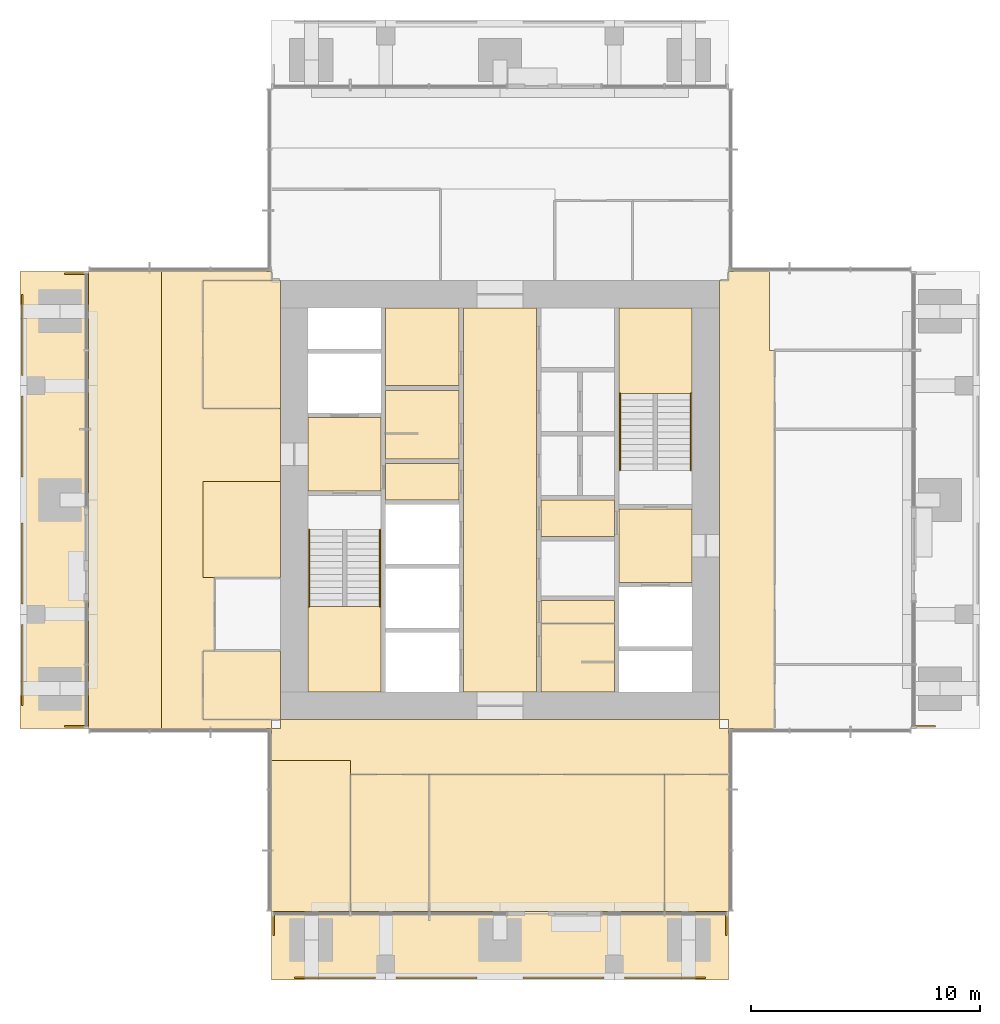
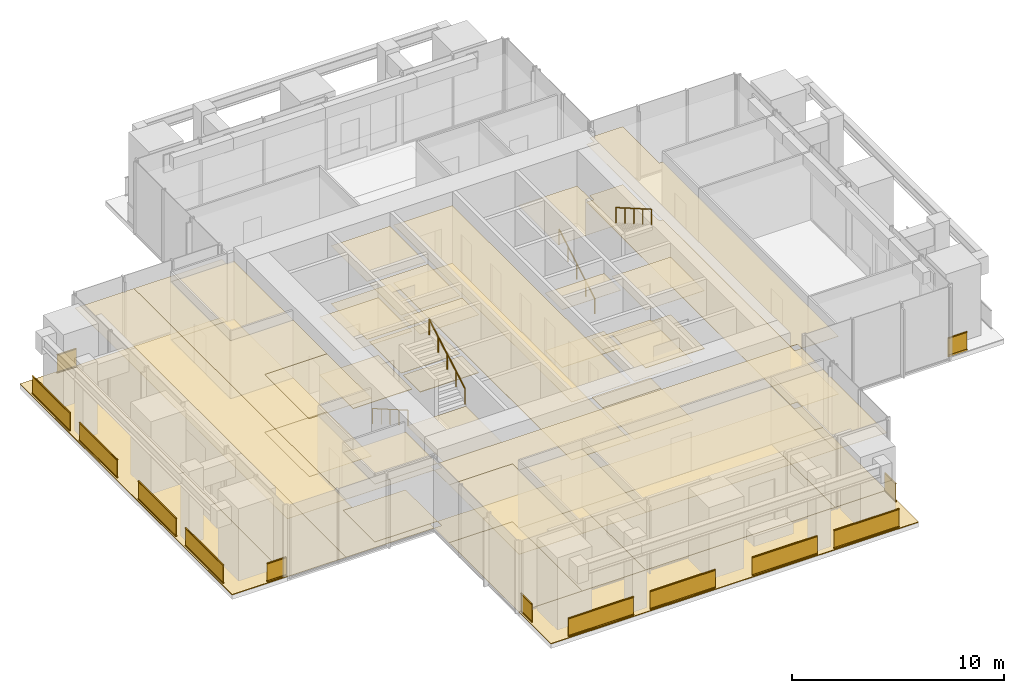
# One storey, part 10 of 12: 44 coverings, 17 railings.
"""IFC4 building model written with IfcOpenShell, lengths in metres."""

from ifc_helpers import new_model, si_unit, direction, frame, origin, origin_2d, place, context, subcontext, project, spatial, polyline, rectangle, circle, outline, extrude, material, layer, layer_set, type_object, element, save


model = new_model("IFC4")

# Units and contexts
model_context = context("Model", 3, precision=1e-05, world=origin(), true_north=direction((0.0, 1.0)))
body_context = subcontext(model_context, "Body", "Model", "MODEL_VIEW")
ifc_project = project(units=[si_unit("LENGTHUNIT", "METRE"), si_unit("AREAUNIT", "SQUARE_METRE"), si_unit("VOLUMEUNIT", "CUBIC_METRE"), si_unit("PLANEANGLEUNIT", "RADIAN"), si_unit("MASSUNIT", "GRAM", prefix="KILO")], contexts=[model_context])

# Site, building, storey
site_placement = place(None, origin())
site = spatial("IfcSite", under=ifc_project, at=site_placement, CompositionType="ELEMENT")
building_placement = place(site_placement, origin())
building = spatial("IfcBuilding", under=site, at=building_placement, Name="Svetlomir Tower", CompositionType="ELEMENT")
storey_placement = place(building_placement, frame((0.0, 0.0, 244.0)))
storey = spatial("IfcBuildingStorey", under=building, at=storey_placement, Name="L58", CompositionType="ELEMENT", Elevation=244.0)

# Railings
ifc_material_1 = material(Name="Bronze anodised aluminium and laminated glass", Category="aluminium")
railing_type_1 = type_object("IfcRailingType", Name="BALCONY GUARD GR1 1100", PredefinedType="GUARDRAIL", material=ifc_material_1)
for number, where, name in (
    (1, (12.0, 0.10009765625, 0.0), "Loggia guard S L58 bay 1"),
    (2, (16.449951171875, 0.10009765625, 0.0), "Loggia guard S L58 bay 2"),
    (3, (22.0, 0.10009765625, 0.0), "Loggia guard S L58 bay 3"),
    (4, (26.449951171875, 0.10009765625, 0.0), "Loggia guard S L58 bay 4"),
):
    element("IfcRailing", number, at=place(storey_placement, frame(where)), inside=storey, type_object=railing_type_1, Name=name, PredefinedType="GUARDRAIL", context=body_context, shape_type="SweptSolid", body=[
        extrude(rectangle(XDim=0.06005859375, YDim=0.10009765625, at=origin_2d()), frame((0.0, 0.0, 0.050048828125), z_axis=(1.0, 0.0, 0.0), x_axis=(0.0, 1.0, 0.0)), (0.0, 0.0, 1.0), 3.550048828125),
        extrude(rectangle(XDim=0.021484375, YDim=0.960205078125, at=origin_2d()), frame((0.0, 0.0, 0.580078125), z_axis=(1.0, 0.0, 0.0), x_axis=(0.0, 1.0, 0.0)), (0.0, 0.0, 1.0), 3.550048828125),
        extrude(rectangle(XDim=0.06005859375, YDim=0.0400390625, at=origin_2d()), frame((0.0, 0.0, 1.080078125), z_axis=(1.0, 0.0, 0.0), x_axis=(0.0, 1.0, 0.0)), (0.0, 0.0, 1.0), 3.550048828125),
    ])
for number, where, name in (
    (5, (11.10009765625, 1.949951171875, 0.0), "Loggia guard S L58 end 1"),
    (6, (30.89990234375, 1.949951171875, 0.0), "Loggia guard S L58 end 2"),
):
    element("IfcRailing", number, at=place(storey_placement, frame(where)), inside=storey, type_object=railing_type_1, Name=name, PredefinedType="GUARDRAIL", context=body_context, shape_type="SweptSolid", body=[
        extrude(rectangle(XDim=0.06005859375, YDim=0.10009765625, at=origin_2d()), frame((0.0, 0.0, 0.050048828125), z_axis=(0.0, 1.0, 0.0), x_axis=(-1.0, 0.0, 0.0)), (0.0, 0.0, 1.0), 1.050048828125),
        extrude(rectangle(XDim=0.021484375, YDim=0.960205078125, at=origin_2d()), frame((0.0, 0.0, 0.580078125), z_axis=(0.0, 1.0, 0.0), x_axis=(-1.0, 0.0, 0.0)), (0.0, 0.0, 1.0), 1.050048828125),
        extrude(rectangle(XDim=0.06005859375, YDim=0.0400390625, at=origin_2d()), frame((0.0, 0.0, 1.080078125), z_axis=(0.0, 1.0, 0.0), x_axis=(-1.0, 0.0, 0.0)), (0.0, 0.0, 1.0), 1.050048828125),
    ])
railing_1_placement = place(storey_placement, frame((40.050048828125, 11.10009765625, 0.0)))
element("IfcRailing", 7, at=railing_1_placement, inside=storey, type_object=railing_type_1, Name="Loggia guard E L58 end 1", PredefinedType="GUARDRAIL", context=body_context, shape_type="SweptSolid", body=[
    extrude(rectangle(XDim=0.06005859375, YDim=0.10009765625, at=origin_2d()), frame((0.0, 0.0, 0.050048828125), z_axis=(-1.0, 0.0, 0.0), x_axis=(0.0, -1.0, 0.0)), (0.0, 0.0, 1.0), 1.050048828125),
    extrude(rectangle(XDim=0.021484375, YDim=0.960205078125, at=origin_2d()), frame((0.0, 0.0, 0.580078125), z_axis=(-1.0, 0.0, 0.0), x_axis=(0.0, -1.0, 0.0)), (0.0, 0.0, 1.0), 1.050048828125),
    extrude(rectangle(XDim=0.06005859375, YDim=0.0400390625, at=origin_2d()), frame((0.0, 0.0, 1.080078125), z_axis=(-1.0, 0.0, 0.0), x_axis=(0.0, -1.0, 0.0)), (0.0, 0.0, 1.0), 1.050048828125),
])
for number, where, name in (
    (8, (0.10009765625, 12.0, 0.0), "Loggia guard W L58 bay 1"),
    (9, (0.10009765625, 16.449951171875, 0.0), "Loggia guard W L58 bay 2"),
    (10, (0.10009765625, 22.0, 0.0), "Loggia guard W L58 bay 3"),
    (11, (0.10009765625, 26.449951171875, 0.0), "Loggia guard W L58 bay 4"),
):
    element("IfcRailing", number, at=place(storey_placement, frame(where)), inside=storey, type_object=railing_type_1, Name=name, PredefinedType="GUARDRAIL", context=body_context, shape_type="SweptSolid", body=[
        extrude(rectangle(XDim=0.06005859375, YDim=0.10009765625, at=origin_2d()), frame((0.0, 0.0, 0.050048828125), z_axis=(0.0, 1.0, 0.0), x_axis=(-1.0, 0.0, 0.0)), (0.0, 0.0, 1.0), 3.550048828125),
        extrude(rectangle(XDim=0.021484375, YDim=0.960205078125, at=origin_2d()), frame((0.0, 0.0, 0.580078125), z_axis=(0.0, 1.0, 0.0), x_axis=(-1.0, 0.0, 0.0)), (0.0, 0.0, 1.0), 3.550048828125),
        extrude(rectangle(XDim=0.06005859375, YDim=0.0400390625, at=origin_2d()), frame((0.0, 0.0, 1.080078125), z_axis=(0.0, 1.0, 0.0), x_axis=(-1.0, 0.0, 0.0)), (0.0, 0.0, 1.0), 3.550048828125),
    ])
for number, where, name in (
    (12, (1.949951171875, 11.10009765625, 0.0), "Loggia guard W L58 end 1"),
    (13, (1.949951171875, 30.89990234375, 0.0), "Loggia guard W L58 end 2"),
):
    element("IfcRailing", number, at=place(storey_placement, frame(where)), inside=storey, type_object=railing_type_1, Name=name, PredefinedType="GUARDRAIL", context=body_context, shape_type="SweptSolid", body=[
        extrude(rectangle(XDim=0.06005859375, YDim=0.10009765625, at=origin_2d()), frame((0.0, 0.0, 0.050048828125), z_axis=(1.0, 0.0, 0.0), x_axis=(0.0, 1.0, 0.0)), (0.0, 0.0, 1.0), 1.050048828125),
        extrude(rectangle(XDim=0.021484375, YDim=0.960205078125, at=origin_2d()), frame((0.0, 0.0, 0.580078125), z_axis=(1.0, 0.0, 0.0), x_axis=(0.0, 1.0, 0.0)), (0.0, 0.0, 1.0), 1.050048828125),
        extrude(rectangle(XDim=0.06005859375, YDim=0.0400390625, at=origin_2d()), frame((0.0, 0.0, 1.080078125), z_axis=(1.0, 0.0, 0.0), x_axis=(0.0, 1.0, 0.0)), (0.0, 0.0, 1.0), 1.050048828125),
    ])

# Coverings
ifc_material_2 = material(Name="Granite paving slabs on pedestals", Category="masonry")
ifc_layer_1 = layer(ifc_material_2, 0.0400390625)
ifc_layer_set_1 = layer_set([ifc_layer_1], Name="Granite paving slabs on pedestals")
covering_type_1 = type_object("IfcCoveringType", Name="BALCONY PAVING 40", PredefinedType="USERDEFINED", material=ifc_layer_set_1)
covering_1_placement = place(storey_placement, origin())
element("IfcCovering", 14, at=covering_1_placement, inside=storey, type_object=covering_type_1, Name="Loggia paving S L58", ObjectType="BALCONY PAVING", PredefinedType="USERDEFINED", context=body_context, shape_type="SweptSolid", body=[
    extrude(outline(polyline([(11.0, 0.0), (31.0, 0.0), (31.0, 3.0), (11.0, 3.0), (11.0, 0.0)])), origin(), (0.0, 0.0, 1.0), 0.0400390625),
])
covering_2_placement = place(storey_placement, origin())
element("IfcCovering", 15, at=covering_2_placement, inside=storey, type_object=covering_type_1, Name="Loggia paving W L58", ObjectType="BALCONY PAVING", PredefinedType="USERDEFINED", context=body_context, shape_type="SweptSolid", body=[
    extrude(outline(polyline([(0.0, 11.0), (3.0, 11.0), (3.0, 31.0), (0.0, 31.0), (0.0, 11.0)])), origin(), (0.0, 0.0, 1.0), 0.0400390625),
])
ifc_material_3 = material(Name="Ceramic floor tile", Category="ceramic")
ifc_layer_2 = layer(ifc_material_3, 0.014892578125)
ifc_layer_set_2 = layer_set([ifc_layer_2], Name="Ceramic floor tile")
covering_type_2 = type_object("IfcCoveringType", Name="CERAMIC TILE FLOOR 15", PredefinedType="FLOORING", material=ifc_layer_set_2)
covering_3_placement = place(storey_placement, origin())
element("IfcCovering", 16, at=covering_3_placement, inside=storey, type_object=covering_type_2, Name="Floor finish L58-04", PredefinedType="FLOORING", context=body_context, shape_type="SweptSolid", body=[
    extrude(outline(polyline([(16.0, 22.800048828125), (19.199951171875, 22.800048828125), (19.199951171875, 25.800048828125), (16.0, 25.800048828125), (16.0, 22.800048828125)])), origin(), (0.0, 0.0, 1.0), 0.014892578125),
])
covering_4_placement = place(storey_placement, origin())
element("IfcCovering", 17, at=covering_4_placement, inside=storey, type_object=covering_type_2, Name="Floor finish L58-05", PredefinedType="FLOORING", context=body_context, shape_type="SweptSolid", body=[
    extrude(outline(polyline([(16.0, 26.0), (19.199951171875, 26.0), (19.199951171875, 29.39990234375), (16.0, 29.39990234375), (16.0, 26.0)])), origin(), (0.0, 0.0, 1.0), 0.014892578125),
])
covering_5_placement = place(storey_placement, origin())
element("IfcCovering", 18, at=covering_5_placement, inside=storey, type_object=covering_type_2, Name="Floor finish L58-07", PredefinedType="FLOORING", context=body_context, shape_type="SweptSolid", body=[
    extrude(outline(polyline([(22.800048828125, 15.60009765625), (26.0, 15.60009765625), (26.0, 16.60009765625), (22.800048828125, 16.60009765625), (22.800048828125, 15.60009765625)])), origin(), (0.0, 0.0, 1.0), 0.014892578125),
])
covering_6_placement = place(storey_placement, origin())
element("IfcCovering", 19, at=covering_6_placement, inside=storey, type_object=covering_type_2, Name="Floor finish L58-08", PredefinedType="FLOORING", context=body_context, shape_type="SweptSolid", body=[
    extrude(outline(polyline([(22.800048828125, 12.60009765625), (26.0, 12.60009765625), (26.0, 15.60009765625), (22.800048828125, 15.60009765625), (22.800048828125, 12.60009765625)])), origin(), (0.0, 0.0, 1.0), 0.014892578125),
])

# Railings
ifc_material_4 = material(Name="Stainless steel", Category="steel")
railing_type_2 = type_object("IfcRailingType", Name="HANDRAIL HR1 900", PredefinedType="HANDRAIL", material=ifc_material_4)
railing_2_placement = place(storey_placement, frame((12.64990234375, 19.699951171875, 0.16162109375)))
element("IfcRailing", 20, at=railing_2_placement, inside=storey, type_object=railing_type_2, Name="Handrail S1 flight 1 L58", PredefinedType="HANDRAIL", context=body_context, shape_type="SweptSolid", body=[
    extrude(circle(Radius=0.02392578125, at=origin_2d()), frame((0.0, 0.0, 0.8759765625), z_axis=(0.0, -0.866175107563, 0.499740615757), x_axis=(1.0, 0.0, 0.0)), (0.0, 0.0, 1.0), 3.87890625),
    extrude(circle(Radius=0.02099609375, at=origin_2d()), origin(), (0.0, 0.0, 1.0), 0.851806640625),
    extrude(circle(Radius=0.02099609375, at=origin_2d()), frame((0.0, -0.83984375, 0.484619140625)), (0.0, 0.0, 1.0), 0.851806640625),
    extrude(circle(Radius=0.02099609375, at=origin_2d()), frame((0.0, -1.679931640625, 0.96923828125)), (0.0, 0.0, 1.0), 0.851806640625),
    extrude(circle(Radius=0.02099609375, at=origin_2d()), frame((0.0, -2.52001953125, 1.453857421875)), (0.0, 0.0, 1.0), 0.851806640625),
    extrude(circle(Radius=0.02099609375, at=origin_2d()), frame((0.0, -3.35986328125, 1.9384765625)), (0.0, 0.0, 1.0), 0.851806640625),
])
for number, where, name in (
    (21, (15.75, 16.340087890625, 2.261474609375), "Handrail S1 flight 2 L58"),
    (22, (26.25, 22.300048828125, 0.16162109375), "Handrail S2 flight 1 L58"),
):
    element("IfcRailing", number, at=place(storey_placement, frame(where)), inside=storey, type_object=railing_type_2, Name=name, PredefinedType="HANDRAIL", context=body_context, shape_type="SweptSolid", body=[
        extrude(circle(Radius=0.02392578125, at=origin_2d()), frame((0.0, 0.0, 0.8759765625), z_axis=(0.0, 0.866175107563, 0.499740615757), x_axis=(-1.0, 0.0, 0.0)), (0.0, 0.0, 1.0), 3.87890625),
        extrude(circle(Radius=0.02099609375, at=origin_2d()), origin(), (0.0, 0.0, 1.0), 0.851806640625),
        extrude(circle(Radius=0.02099609375, at=origin_2d()), frame((0.0, 0.83984375, 0.484619140625)), (0.0, 0.0, 1.0), 0.851806640625),
        extrude(circle(Radius=0.02099609375, at=origin_2d()), frame((0.0, 1.679931640625, 0.96923828125)), (0.0, 0.0, 1.0), 0.851806640625),
        extrude(circle(Radius=0.02099609375, at=origin_2d()), frame((0.0, 2.52001953125, 1.453857421875)), (0.0, 0.0, 1.0), 0.851806640625),
        extrude(circle(Radius=0.02099609375, at=origin_2d()), frame((0.0, 3.35986328125, 1.9384765625)), (0.0, 0.0, 1.0), 0.851806640625),
    ])
railing_3_placement = place(storey_placement, frame((29.35009765625, 25.659912109375, 2.261474609375)))
element("IfcRailing", 23, at=railing_3_placement, inside=storey, type_object=railing_type_2, Name="Handrail S2 flight 2 L58", PredefinedType="HANDRAIL", context=body_context, shape_type="SweptSolid", body=[
    extrude(circle(Radius=0.02392578125, at=origin_2d()), frame((0.0, 0.0, 0.8759765625), z_axis=(0.0, -0.866175107563, 0.499740615757), x_axis=(1.0, 0.0, 0.0)), (0.0, 0.0, 1.0), 3.87890625),
    extrude(circle(Radius=0.02099609375, at=origin_2d()), origin(), (0.0, 0.0, 1.0), 0.851806640625),
    extrude(circle(Radius=0.02099609375, at=origin_2d()), frame((0.0, -0.83984375, 0.484619140625)), (0.0, 0.0, 1.0), 0.851806640625),
    extrude(circle(Radius=0.02099609375, at=origin_2d()), frame((0.0, -1.679931640625, 0.96923828125)), (0.0, 0.0, 1.0), 0.851806640625),
    extrude(circle(Radius=0.02099609375, at=origin_2d()), frame((0.0, -2.52001953125, 1.453857421875)), (0.0, 0.0, 1.0), 0.851806640625),
    extrude(circle(Radius=0.02099609375, at=origin_2d()), frame((0.0, -3.35986328125, 1.9384765625)), (0.0, 0.0, 1.0), 0.851806640625),
])

# Coverings
ifc_material_5 = material(Name="Moisture resistant plasterboard ceiling", Category="gypsum")
ifc_layer_3 = layer(ifc_material_5, 0.012451171875)
ifc_layer_set_3 = layer_set([ifc_layer_3], Name="Moisture resistant plasterboard ceiling")
covering_type_3 = type_object("IfcCoveringType", Name="MOISTURE RESISTANT CEILING 12.5", PredefinedType="CEILING", material=ifc_layer_set_3)
covering_7_placement = place(storey_placement, frame((0.0, 0.0, 3.33740234375)))
element("IfcCovering", 24, at=covering_7_placement, inside=storey, type_object=covering_type_3, Name="Ceiling L58-04", PredefinedType="CEILING", context=body_context, shape_type="SweptSolid", body=[
    extrude(outline(polyline([(16.0, 22.800048828125), (19.199951171875, 22.800048828125), (19.199951171875, 25.800048828125), (16.0, 25.800048828125), (16.0, 22.800048828125)])), origin(), (0.0, 0.0, 1.0), 0.0126953125),
])
covering_8_placement = place(storey_placement, frame((0.0, 0.0, 3.33740234375)))
element("IfcCovering", 25, at=covering_8_placement, inside=storey, type_object=covering_type_3, Name="Ceiling L58-05", PredefinedType="CEILING", context=body_context, shape_type="SweptSolid", body=[
    extrude(outline(polyline([(16.0, 26.0), (19.199951171875, 26.0), (19.199951171875, 29.39990234375), (16.0, 29.39990234375), (16.0, 26.0)])), origin(), (0.0, 0.0, 1.0), 0.0126953125),
])
covering_9_placement = place(storey_placement, frame((0.0, 0.0, 3.33740234375)))
element("IfcCovering", 26, at=covering_9_placement, inside=storey, type_object=covering_type_3, Name="Ceiling L58-07", PredefinedType="CEILING", context=body_context, shape_type="SweptSolid", body=[
    extrude(outline(polyline([(22.800048828125, 15.60009765625), (26.0, 15.60009765625), (26.0, 16.60009765625), (22.800048828125, 16.60009765625), (22.800048828125, 15.60009765625)])), origin(), (0.0, 0.0, 1.0), 0.0126953125),
])
covering_10_placement = place(storey_placement, frame((0.0, 0.0, 3.33740234375)))
element("IfcCovering", 27, at=covering_10_placement, inside=storey, type_object=covering_type_3, Name="Ceiling L58-08", PredefinedType="CEILING", context=body_context, shape_type="SweptSolid", body=[
    extrude(outline(polyline([(22.800048828125, 12.60009765625), (26.0, 12.60009765625), (26.0, 15.60009765625), (22.800048828125, 15.60009765625), (22.800048828125, 12.60009765625)])), origin(), (0.0, 0.0, 1.0), 0.0126953125),
])
ifc_material_6 = material(Name="Engineered oak floor", Category="wood")
ifc_layer_4 = layer(ifc_material_6, 0.02001953125)
ifc_layer_set_4 = layer_set([ifc_layer_4], Name="Engineered oak floor")
covering_type_4 = type_object("IfcCoveringType", Name="OAK FLOOR 20", PredefinedType="FLOORING", material=ifc_layer_set_4)
covering_11_placement = place(storey_placement, origin())
element("IfcCovering", 28, at=covering_11_placement, inside=storey, type_object=covering_type_4, Name="Floor finish L58-18", PredefinedType="FLOORING", context=body_context, shape_type="SweptSolid", body=[
    extrude(outline(polyline([(14.449951171875, 3.0), (17.89990234375, 3.0), (17.89990234375, 9.0), (14.449951171875, 9.0), (14.449951171875, 3.0)])), origin(), (0.0, 0.0, 1.0), 0.02001953125),
])
covering_12_placement = place(storey_placement, origin())
element("IfcCovering", 29, at=covering_12_placement, inside=storey, type_object=covering_type_4, Name="Floor finish L58-19", PredefinedType="FLOORING", context=body_context, shape_type="SweptSolid", body=[
    extrude(outline(polyline([(17.89990234375, 3.0), (28.199951171875, 3.0), (28.199951171875, 9.0), (17.89990234375, 9.0), (17.89990234375, 3.0)])), origin(), (0.0, 0.0, 1.0), 0.02001953125),
])
covering_13_placement = place(storey_placement, origin())
element("IfcCovering", 30, at=covering_13_placement, inside=storey, type_object=covering_type_4, Name="Floor finish L58-20", PredefinedType="FLOORING", context=body_context, shape_type="SweptSolid", body=[
    extrude(outline(polyline([(28.199951171875, 3.0), (31.0, 3.0), (31.0, 9.0), (28.199951171875, 9.0), (28.199951171875, 3.0)])), origin(), (0.0, 0.0, 1.0), 0.02001953125),
])
covering_14_placement = place(storey_placement, origin())
element("IfcCovering", 31, at=covering_14_placement, inside=storey, type_object=covering_type_4, Name="Floor finish L58-27", PredefinedType="FLOORING", context=body_context, shape_type="SweptSolid", body=[
    extrude(outline(polyline([(8.0, 11.39990234375), (11.39990234375, 11.39990234375), (11.39990234375, 14.39990234375), (8.0, 14.39990234375), (8.0, 11.39990234375)])), origin(), (0.0, 0.0, 1.0), 0.02001953125),
])
covering_15_placement = place(storey_placement, origin())
element("IfcCovering", 32, at=covering_15_placement, inside=storey, type_object=covering_type_4, Name="Floor finish L58-29", PredefinedType="FLOORING", context=body_context, shape_type="SweptSolid", body=[
    extrude(outline(polyline([(8.0, 25.0), (11.39990234375, 25.0), (11.39990234375, 30.60009765625), (8.0, 30.60009765625), (8.0, 25.0)])), origin(), (0.0, 0.0, 1.0), 0.02001953125),
])
covering_16_placement = place(storey_placement, origin())
element("IfcCovering", 33, at=covering_16_placement, inside=storey, type_object=covering_type_4, Name="Floor finish L58-30", PredefinedType="FLOORING", context=body_context, shape_type="SweptSolid", body=[
    extrude(outline(polyline([(6.199951171875, 11.0), (6.199951171875, 31.0), (11.0, 31.0), (11.0, 30.60009765625), (8.0, 30.60009765625), (8.0, 25.0), (11.39990234375, 25.0), (11.39990234375, 21.800048828125), (8.0, 21.800048828125), (8.0, 17.60009765625), (8.5, 17.60009765625), (8.5, 14.39990234375), (8.0, 14.39990234375), (8.0, 11.39990234375), (11.0, 11.39990234375), (11.0, 11.0), (6.199951171875, 11.0)])), origin(), (0.0, 0.0, 1.0), 0.02001953125),
])
covering_17_placement = place(storey_placement, origin())
element("IfcCovering", 34, at=covering_17_placement, inside=storey, type_object=covering_type_4, Name="Floor finish L58-31", PredefinedType="FLOORING", context=body_context, shape_type="SweptSolid", body=[
    extrude(outline(polyline([(30.60009765625, 11.39990234375), (30.60009765625, 11.0), (31.0, 11.0), (31.0, 9.0), (14.449951171875, 9.0), (14.449951171875, 9.60009765625), (11.0, 9.60009765625), (11.0, 11.0), (11.39990234375, 11.0), (11.39990234375, 11.39990234375), (30.60009765625, 11.39990234375)])), origin(), (0.0, 0.0, 1.0), 0.02001953125),
])
covering_18_placement = place(storey_placement, origin())
element("IfcCovering", 35, at=covering_18_placement, inside=storey, type_object=covering_type_4, Name="Floor finish L58-32", PredefinedType="FLOORING", context=body_context, shape_type="SweptSolid", body=[
    extrude(outline(polyline([(30.60009765625, 30.60009765625), (31.0, 30.60009765625), (31.0, 31.0), (32.800048828125, 31.0), (32.800048828125, 27.550048828125), (33.0, 27.550048828125), (33.0, 11.0), (31.0, 11.0), (31.0, 11.39990234375), (30.60009765625, 11.39990234375), (30.60009765625, 30.60009765625)])), origin(), (0.0, 0.0, 1.0), 0.02001953125),
])
covering_19_placement = place(storey_placement, origin())
element("IfcCovering", 36, at=covering_19_placement, inside=storey, type_object=covering_type_4, Name="Floor finish L58-34", PredefinedType="FLOORING", context=body_context, shape_type="SweptSolid", body=[
    extrude(outline(polyline([(14.449951171875, 9.60009765625), (14.449951171875, 3.0), (11.0, 3.0), (11.0, 9.60009765625), (14.449951171875, 9.60009765625)])), origin(), (0.0, 0.0, 1.0), 0.02001953125),
])
covering_20_placement = place(storey_placement, origin())
element("IfcCovering", 37, at=covering_20_placement, inside=storey, type_object=covering_type_4, Name="Floor finish L58-38", PredefinedType="FLOORING", context=body_context, shape_type="SweptSolid", body=[
    extrude(outline(polyline([(3.0, 31.0), (6.199951171875, 31.0), (6.199951171875, 11.0), (3.0, 11.0), (3.0, 31.0)])), origin(), (0.0, 0.0, 1.0), 0.02001953125),
])
covering_21_placement = place(storey_placement, origin())
element("IfcCovering", 38, at=covering_21_placement, inside=storey, type_object=covering_type_4, Name="Floor finish L58-39", PredefinedType="FLOORING", context=body_context, shape_type="SweptSolid", body=[
    extrude(outline(polyline([(8.0, 17.60009765625), (8.0, 21.800048828125), (11.39990234375, 21.800048828125), (11.39990234375, 17.60009765625), (8.0, 17.60009765625)])), origin(), (0.0, 0.0, 1.0), 0.02001953125),
])
ifc_material_7 = material(Name="Gypsum plasterboard ceiling", Category="gypsum")
ifc_layer_5 = layer(ifc_material_7, 0.014892578125)
ifc_layer_set_5 = layer_set([ifc_layer_5], Name="Gypsum plasterboard ceiling")
covering_type_5 = type_object("IfcCoveringType", Name="PLASTERBOARD CEILING 15", PredefinedType="CEILING", material=ifc_layer_set_5)
covering_22_placement = place(storey_placement, frame((0.0, 0.0, 3.3349609375)))
element("IfcCovering", 39, at=covering_22_placement, inside=storey, type_object=covering_type_5, Name="Ceiling L58-02", PredefinedType="CEILING", context=body_context, shape_type="SweptSolid", body=[
    extrude(outline(polyline([(12.60009765625, 21.39990234375), (15.800048828125, 21.39990234375), (15.800048828125, 24.60009765625), (12.60009765625, 24.60009765625), (12.60009765625, 21.39990234375)])), origin(), (0.0, 0.0, 1.0), 0.01513671875),
])
covering_23_placement = place(storey_placement, frame((0.0, 0.0, 3.3349609375)))
element("IfcCovering", 40, at=covering_23_placement, inside=storey, type_object=covering_type_5, Name="Ceiling L58-03", PredefinedType="CEILING", context=body_context, shape_type="SweptSolid", body=[
    extrude(outline(polyline([(16.0, 21.0), (19.199951171875, 21.0), (19.199951171875, 22.60009765625), (16.0, 22.60009765625), (16.0, 21.0)])), origin(), (0.0, 0.0, 1.0), 0.01513671875),
])
covering_24_placement = place(storey_placement, frame((0.0, 0.0, 3.3349609375)))
element("IfcCovering", 41, at=covering_24_placement, inside=storey, type_object=covering_type_5, Name="Ceiling L58-06", PredefinedType="CEILING", context=body_context, shape_type="SweptSolid", body=[
    extrude(outline(polyline([(19.39990234375, 12.60009765625), (22.60009765625, 12.60009765625), (22.60009765625, 29.39990234375), (19.39990234375, 29.39990234375), (19.39990234375, 12.60009765625)])), origin(), (0.0, 0.0, 1.0), 0.01513671875),
])
covering_25_placement = place(storey_placement, frame((0.0, 0.0, 3.3349609375)))
element("IfcCovering", 42, at=covering_25_placement, inside=storey, type_object=covering_type_5, Name="Ceiling L58-10", PredefinedType="CEILING", context=body_context, shape_type="SweptSolid", body=[
    extrude(outline(polyline([(22.800048828125, 19.39990234375), (26.0, 19.39990234375), (26.0, 21.0), (22.800048828125, 21.0), (22.800048828125, 19.39990234375)])), origin(), (0.0, 0.0, 1.0), 0.01513671875),
])
covering_26_placement = place(storey_placement, frame((0.0, 0.0, 3.3349609375)))
element("IfcCovering", 43, at=covering_26_placement, inside=storey, type_object=covering_type_5, Name="Ceiling L58-11", PredefinedType="CEILING", context=body_context, shape_type="SweptSolid", body=[
    extrude(outline(polyline([(26.199951171875, 17.39990234375), (29.39990234375, 17.39990234375), (29.39990234375, 20.60009765625), (26.199951171875, 20.60009765625), (26.199951171875, 17.39990234375)])), origin(), (0.0, 0.0, 1.0), 0.01513671875),
])
ifc_material_8 = material(Name="Studded rubber floor finish", Category="rubber")
ifc_layer_6 = layer(ifc_material_8, 0.006103515625)
ifc_layer_set_6 = layer_set([ifc_layer_6], Name="Studded rubber floor finish")
covering_type_6 = type_object("IfcCoveringType", Name="RUBBER LANDING FINISH 6", PredefinedType="FLOORING", material=ifc_layer_set_6)
covering_27_placement = place(storey_placement, frame((0.0, 0.0, 2.10009765625)))
element("IfcCovering", 44, at=covering_27_placement, inside=storey, type_object=covering_type_6, Name="Stair S1 landing finish L58", PredefinedType="FLOORING", context=body_context, shape_type="SweptSolid", body=[
    extrude(outline(polyline([(12.60009765625, 12.60009765625), (15.800048828125, 12.60009765625), (15.800048828125, 16.340087890625), (12.60009765625, 16.340087890625), (12.60009765625, 12.60009765625)])), origin(), (0.0, 0.0, 1.0), 0.005859375),
])
covering_28_placement = place(storey_placement, frame((0.0, 0.0, 2.10009765625)))
element("IfcCovering", 45, at=covering_28_placement, inside=storey, type_object=covering_type_6, Name="Stair S2 landing finish L58", PredefinedType="FLOORING", context=body_context, shape_type="SweptSolid", body=[
    extrude(outline(polyline([(26.199951171875, 25.659912109375), (29.39990234375, 25.659912109375), (29.39990234375, 29.39990234375), (26.199951171875, 29.39990234375), (26.199951171875, 25.659912109375)])), origin(), (0.0, 0.0, 1.0), 0.005859375),
])
ifc_material_9 = material(Name="Mineral fibre ceiling tile", Category="mineral")
ifc_layer_7 = layer(ifc_material_9, 0.02001953125)
ifc_layer_set_7 = layer_set([ifc_layer_7], Name="Mineral fibre ceiling tile")
covering_type_7 = type_object("IfcCoveringType", Name="SUSPENDED CEILING 20", PredefinedType="CEILING", material=ifc_layer_set_7)
covering_29_placement = place(storey_placement, frame((0.0, 0.0, 3.330078125)))
element("IfcCovering", 46, at=covering_29_placement, inside=storey, type_object=covering_type_7, Name="Ceiling L58-18", PredefinedType="CEILING", context=body_context, shape_type="SweptSolid", body=[
    extrude(outline(polyline([(14.449951171875, 3.0), (17.89990234375, 3.0), (17.89990234375, 9.0), (14.449951171875, 9.0), (14.449951171875, 3.0)])), origin(), (0.0, 0.0, 1.0), 0.02001953125),
])
covering_30_placement = place(storey_placement, frame((0.0, 0.0, 3.330078125)))
element("IfcCovering", 47, at=covering_30_placement, inside=storey, type_object=covering_type_7, Name="Ceiling L58-19", PredefinedType="CEILING", context=body_context, shape_type="SweptSolid", body=[
    extrude(outline(polyline([(17.89990234375, 3.0), (28.199951171875, 3.0), (28.199951171875, 9.0), (17.89990234375, 9.0), (17.89990234375, 3.0)])), origin(), (0.0, 0.0, 1.0), 0.02001953125),
])
covering_31_placement = place(storey_placement, frame((0.0, 0.0, 3.330078125)))
element("IfcCovering", 48, at=covering_31_placement, inside=storey, type_object=covering_type_7, Name="Ceiling L58-20", PredefinedType="CEILING", context=body_context, shape_type="SweptSolid", body=[
    extrude(outline(polyline([(28.199951171875, 3.0), (31.0, 3.0), (31.0, 9.0), (28.199951171875, 9.0), (28.199951171875, 3.0)])), origin(), (0.0, 0.0, 1.0), 0.02001953125),
])
covering_32_placement = place(storey_placement, frame((0.0, 0.0, 3.330078125)))
element("IfcCovering", 49, at=covering_32_placement, inside=storey, type_object=covering_type_7, Name="Ceiling L58-27", PredefinedType="CEILING", context=body_context, shape_type="SweptSolid", body=[
    extrude(outline(polyline([(8.0, 11.39990234375), (11.39990234375, 11.39990234375), (11.39990234375, 14.39990234375), (8.0, 14.39990234375), (8.0, 11.39990234375)])), origin(), (0.0, 0.0, 1.0), 0.02001953125),
])
covering_33_placement = place(storey_placement, frame((0.0, 0.0, 3.330078125)))
element("IfcCovering", 50, at=covering_33_placement, inside=storey, type_object=covering_type_7, Name="Ceiling L58-29", PredefinedType="CEILING", context=body_context, shape_type="SweptSolid", body=[
    extrude(outline(polyline([(8.0, 25.0), (11.39990234375, 25.0), (11.39990234375, 30.60009765625), (8.0, 30.60009765625), (8.0, 25.0)])), origin(), (0.0, 0.0, 1.0), 0.02001953125),
])
covering_34_placement = place(storey_placement, frame((0.0, 0.0, 3.330078125)))
element("IfcCovering", 51, at=covering_34_placement, inside=storey, type_object=covering_type_7, Name="Ceiling L58-30", PredefinedType="CEILING", context=body_context, shape_type="SweptSolid", body=[
    extrude(outline(polyline([(6.199951171875, 11.0), (6.199951171875, 31.0), (11.0, 31.0), (11.0, 30.60009765625), (8.0, 30.60009765625), (8.0, 25.0), (11.39990234375, 25.0), (11.39990234375, 21.800048828125), (8.0, 21.800048828125), (8.0, 17.60009765625), (8.5, 17.60009765625), (8.5, 14.39990234375), (8.0, 14.39990234375), (8.0, 11.39990234375), (11.0, 11.39990234375), (11.0, 11.0), (6.199951171875, 11.0)])), origin(), (0.0, 0.0, 1.0), 0.02001953125),
])
covering_35_placement = place(storey_placement, frame((0.0, 0.0, 3.330078125)))
element("IfcCovering", 52, at=covering_35_placement, inside=storey, type_object=covering_type_7, Name="Ceiling L58-31", PredefinedType="CEILING", context=body_context, shape_type="SweptSolid", body=[
    extrude(outline(polyline([(30.60009765625, 11.39990234375), (30.60009765625, 11.0), (31.0, 11.0), (31.0, 9.0), (14.449951171875, 9.0), (14.449951171875, 9.60009765625), (11.0, 9.60009765625), (11.0, 11.0), (11.39990234375, 11.0), (11.39990234375, 11.39990234375), (30.60009765625, 11.39990234375)])), origin(), (0.0, 0.0, 1.0), 0.02001953125),
])
covering_36_placement = place(storey_placement, frame((0.0, 0.0, 3.330078125)))
element("IfcCovering", 53, at=covering_36_placement, inside=storey, type_object=covering_type_7, Name="Ceiling L58-32", PredefinedType="CEILING", context=body_context, shape_type="SweptSolid", body=[
    extrude(outline(polyline([(30.60009765625, 30.60009765625), (31.0, 30.60009765625), (31.0, 31.0), (32.800048828125, 31.0), (32.800048828125, 27.550048828125), (33.0, 27.550048828125), (33.0, 11.0), (31.0, 11.0), (31.0, 11.39990234375), (30.60009765625, 11.39990234375), (30.60009765625, 30.60009765625)])), origin(), (0.0, 0.0, 1.0), 0.02001953125),
])
covering_37_placement = place(storey_placement, frame((0.0, 0.0, 3.330078125)))
element("IfcCovering", 54, at=covering_37_placement, inside=storey, type_object=covering_type_7, Name="Ceiling L58-34", PredefinedType="CEILING", context=body_context, shape_type="SweptSolid", body=[
    extrude(outline(polyline([(14.449951171875, 9.60009765625), (14.449951171875, 3.0), (11.0, 3.0), (11.0, 9.60009765625), (14.449951171875, 9.60009765625)])), origin(), (0.0, 0.0, 1.0), 0.02001953125),
])
covering_38_placement = place(storey_placement, frame((0.0, 0.0, 3.330078125)))
element("IfcCovering", 55, at=covering_38_placement, inside=storey, type_object=covering_type_7, Name="Ceiling L58-38", PredefinedType="CEILING", context=body_context, shape_type="SweptSolid", body=[
    extrude(outline(polyline([(3.0, 31.0), (6.199951171875, 31.0), (6.199951171875, 11.0), (3.0, 11.0), (3.0, 31.0)])), origin(), (0.0, 0.0, 1.0), 0.02001953125),
])
covering_39_placement = place(storey_placement, frame((0.0, 0.0, 3.330078125)))
element("IfcCovering", 56, at=covering_39_placement, inside=storey, type_object=covering_type_7, Name="Ceiling L58-39", PredefinedType="CEILING", context=body_context, shape_type="SweptSolid", body=[
    extrude(outline(polyline([(8.0, 17.60009765625), (8.0, 21.800048828125), (11.39990234375, 21.800048828125), (11.39990234375, 17.60009765625), (8.0, 17.60009765625)])), origin(), (0.0, 0.0, 1.0), 0.02001953125),
])
ifc_material_10 = material(Name="Bronze-aggregate terrazzo", Category="stone")
ifc_layer_8 = layer(ifc_material_10, 0.030029296875)
ifc_layer_set_8 = layer_set([ifc_layer_8], Name="Bronze-aggregate terrazzo")
covering_type_8 = type_object("IfcCoveringType", Name="TERRAZZO FLOOR 30", PredefinedType="FLOORING", material=ifc_layer_set_8)
covering_40_placement = place(storey_placement, origin())
element("IfcCovering", 57, at=covering_40_placement, inside=storey, type_object=covering_type_8, Name="Floor finish L58-02", PredefinedType="FLOORING", context=body_context, shape_type="SweptSolid", body=[
    extrude(outline(polyline([(12.60009765625, 21.39990234375), (15.800048828125, 21.39990234375), (15.800048828125, 24.60009765625), (12.60009765625, 24.60009765625), (12.60009765625, 21.39990234375)])), origin(), (0.0, 0.0, 1.0), 0.030029296875),
])
covering_41_placement = place(storey_placement, origin())
element("IfcCovering", 58, at=covering_41_placement, inside=storey, type_object=covering_type_8, Name="Floor finish L58-03", PredefinedType="FLOORING", context=body_context, shape_type="SweptSolid", body=[
    extrude(outline(polyline([(16.0, 21.0), (19.199951171875, 21.0), (19.199951171875, 22.60009765625), (16.0, 22.60009765625), (16.0, 21.0)])), origin(), (0.0, 0.0, 1.0), 0.030029296875),
])
covering_42_placement = place(storey_placement, origin())
element("IfcCovering", 59, at=covering_42_placement, inside=storey, type_object=covering_type_8, Name="Floor finish L58-06", PredefinedType="FLOORING", context=body_context, shape_type="SweptSolid", body=[
    extrude(outline(polyline([(19.39990234375, 12.60009765625), (22.60009765625, 12.60009765625), (22.60009765625, 29.39990234375), (19.39990234375, 29.39990234375), (19.39990234375, 12.60009765625)])), origin(), (0.0, 0.0, 1.0), 0.030029296875),
])
covering_43_placement = place(storey_placement, origin())
element("IfcCovering", 60, at=covering_43_placement, inside=storey, type_object=covering_type_8, Name="Floor finish L58-10", PredefinedType="FLOORING", context=body_context, shape_type="SweptSolid", body=[
    extrude(outline(polyline([(22.800048828125, 19.39990234375), (26.0, 19.39990234375), (26.0, 21.0), (22.800048828125, 21.0), (22.800048828125, 19.39990234375)])), origin(), (0.0, 0.0, 1.0), 0.030029296875),
])
covering_44_placement = place(storey_placement, origin())
element("IfcCovering", 61, at=covering_44_placement, inside=storey, type_object=covering_type_8, Name="Floor finish L58-11", PredefinedType="FLOORING", context=body_context, shape_type="SweptSolid", body=[
    extrude(outline(polyline([(26.199951171875, 17.39990234375), (29.39990234375, 17.39990234375), (29.39990234375, 20.60009765625), (26.199951171875, 20.60009765625), (26.199951171875, 17.39990234375)])), origin(), (0.0, 0.0, 1.0), 0.030029296875),
])

save(model, "model.ifc")
